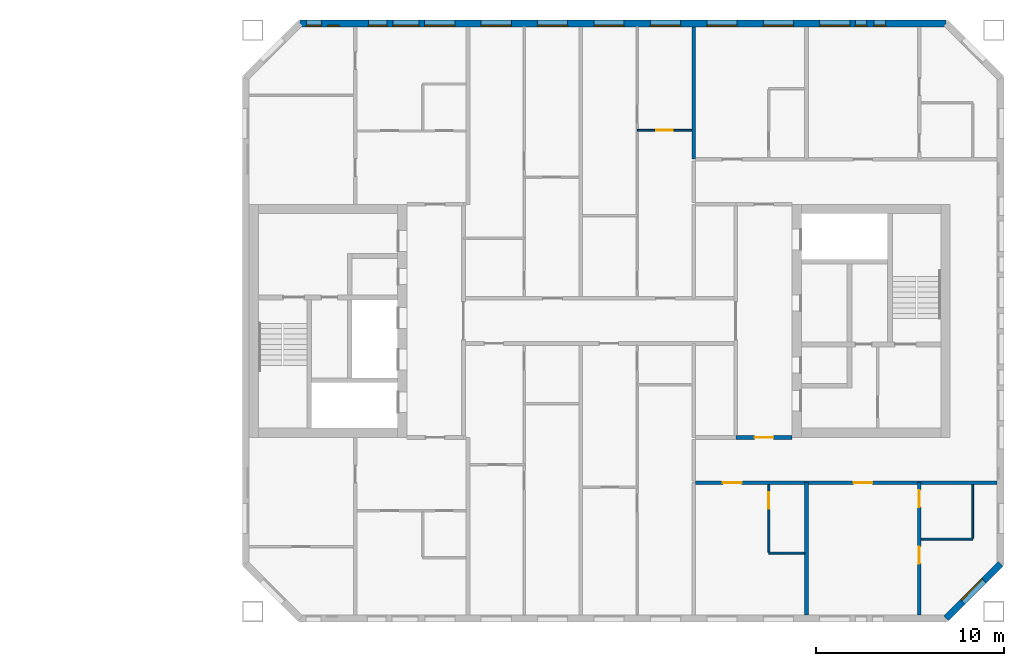
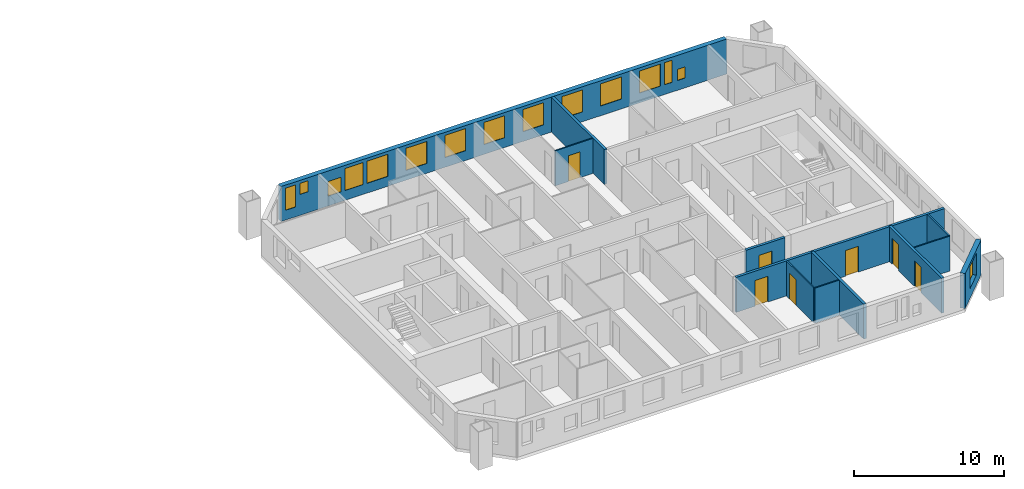
# One storey, part 12 of 16: 15 windows, 12 walls, 7 doors, 22 openings.
"""IFC4 building model written with IfcOpenShell, lengths in metres."""

from ifc_helpers import new_model, si_unit, direction, frame, frame_2d, origin, place, context, subcontext, project, spatial, rectangle, extrude, material, layer, layer_set, type_object, element, fill, save


model = new_model("IFC4")

# Units and contexts
model_context = context("Model", 3, precision=1e-05, world=origin(), true_north=direction((0.0, 1.0)))
body_context = subcontext(model_context, "Body", "Model", "MODEL_VIEW")
ifc_project = project(units=[si_unit("LENGTHUNIT", "METRE"), si_unit("AREAUNIT", "SQUARE_METRE"), si_unit("VOLUMEUNIT", "CUBIC_METRE"), si_unit("PLANEANGLEUNIT", "RADIAN"), si_unit("MASSUNIT", "GRAM", prefix="KILO")], contexts=[model_context])

# Site, building, storey
site_placement = place(None, origin())
site = spatial("IfcSite", under=ifc_project, at=site_placement, CompositionType="ELEMENT")
building_placement = place(site_placement, origin())
building = spatial("IfcBuilding", under=site, at=building_placement, Name="Tuart Gate Housing", CompositionType="ELEMENT")
storey_placement = place(building_placement, frame((0.0, 0.0, 151.60009765625)))
storey = spatial("IfcBuildingStorey", under=building, at=storey_placement, Name="L42", CompositionType="ELEMENT", Elevation=151.60009765625)

# Wall, opening, window
ifc_material_1 = material(Name="Brick", Category="masonry")
ifc_layer_1 = layer(ifc_material_1, 0.360107421875)
ifc_layer_set_1 = layer_set([ifc_layer_1], Name="Brick pier and spandrel wall 360")
wall_type_1 = type_object("IfcWallType", Name="Brick pier and spandrel wall 360", PredefinedType="STANDARD", material=ifc_layer_set_1)
wall_1_placement = place(storey_placement, frame((168.42529296875, 54.179931640625, 0.0), z_axis=(0.0, 0.0, 1.0), x_axis=(0.707106781187, 0.707106781187, 0.0)))
wall_1 = element("IfcWall", 1, at=wall_1_placement, inside=storey, type_object=wall_type_1, Name="External wall B-SE L42", PredefinedType="STANDARD", context=body_context, shape_type="SweptSolid", body=[
    extrude(rectangle(XDim=4.09375, YDim=0.360107421875, at=frame_2d((2.046875, 0.0))), origin(), (0.0, 0.0, 1.0), 2.849853515625),
])
opening_1_placement = place(wall_1_placement, frame((1.2470703125, 0.0, 0.800048828125)))
opening_1 = element("IfcOpeningElement", 2, at=opening_1_placement, cuts=wall_1, Name="Opening W1", PredefinedType="OPENING", context=body_context, shape_type="SweptSolid", body=[
    extrude(rectangle(XDim=1.60009765625, YDim=1.800048828125, at=frame_2d((0.800048828125, 0.89990234375))), frame((0.0, 0.18994140625, 0.0), z_axis=(0.0, -1.0, 0.0), x_axis=(1.0, 0.0, 0.0)), (0.0, 0.0, 1.0), 0.380126953125),
])
ifc_material_2 = material(Name="Aluminium frame with clear glass", Category="aluminium")
window_type_1 = type_object("IfcWindowType", Name="Punched window 1600 x 1800", PartitioningType="SINGLE_PANEL", PredefinedType="WINDOW", material=ifc_material_2)
window_1_placement = place(opening_1_placement, origin())
window_1 = element("IfcWindow", 3, at=window_1_placement, inside=storey, type_object=window_type_1, Name="Window W1", OverallHeight=1.800048828125, OverallWidth=1.60009765625, PartitioningType="SINGLE_PANEL", PredefinedType="WINDOW", context=body_context, shape_type="SweptSolid", body=[
    extrude(rectangle(XDim=1.60009765625, YDim=1.800048828125, at=frame_2d((0.800048828125, 0.89990234375))), frame((0.0, 0.150146484375, 0.0), z_axis=(0.0, -1.0, 0.0), x_axis=(1.0, 0.0, 0.0)), (0.0, 0.0, 1.0), 0.06005859375),
])
fill(opening_1, window_1)

# Wall, openings, windows
wall_2_placement = place(storey_placement, frame((168.42529296875, 85.820068359375, 0.0), z_axis=(0.0, 0.0, 1.0), x_axis=(-1.0, 0.0, 0.0)))
wall_2 = element("IfcWall", 4, at=wall_2_placement, inside=storey, type_object=wall_type_1, Name="External wall B-N L42", PredefinedType="STANDARD", context=body_context, shape_type="SweptSolid", body=[
    extrude(rectangle(XDim=34.350830078125, YDim=0.360107421875, at=frame_2d((17.17529296875, 0.0))), origin(), (0.0, 0.0, 1.0), 2.849853515625),
])
opening_2_placement = place(wall_2_placement, frame((3.225341796875, 0.0, 0.800048828125)))
opening_2 = element("IfcOpeningElement", 5, at=opening_2_placement, cuts=wall_2, Name="Opening W1W", PredefinedType="OPENING", context=body_context, shape_type="SweptSolid", body=[
    extrude(rectangle(XDim=0.60009765625, YDim=0.89990234375, at=frame_2d((0.300048828125, 0.449951171875))), frame((0.0, 0.18994140625, 0.0), z_axis=(0.0, -1.0, 0.0), x_axis=(1.0, 0.0, 0.0)), (0.0, 0.0, 1.0), 0.380126953125),
])
opening_3_placement = place(wall_2_placement, frame((5.12548828125, 0.0, 0.800048828125)))
opening_3 = element("IfcOpeningElement", 6, at=opening_3_placement, cuts=wall_2, Name="Opening W1", PredefinedType="OPENING", context=body_context, shape_type="SweptSolid", body=[
    extrude(rectangle(XDim=1.60009765625, YDim=1.800048828125, at=frame_2d((0.800048828125, 0.89990234375))), frame((0.0, 0.18994140625, 0.0), z_axis=(0.0, -1.0, 0.0), x_axis=(1.0, 0.0, 0.0)), (0.0, 0.0, 1.0), 0.380126953125),
])
opening_4_placement = place(wall_2_placement, frame((8.12548828125, 0.0, 0.800048828125)))
opening_4 = element("IfcOpeningElement", 7, at=opening_4_placement, cuts=wall_2, Name="Opening W1", PredefinedType="OPENING", context=body_context, shape_type="SweptSolid", body=[
    extrude(rectangle(XDim=1.60009765625, YDim=1.800048828125, at=frame_2d((0.800048828125, 0.89990234375))), frame((0.0, 0.18994140625, 0.0), z_axis=(0.0, -1.0, 0.0), x_axis=(1.0, 0.0, 0.0)), (0.0, 0.0, 1.0), 0.380126953125),
])
opening_5_placement = place(wall_2_placement, frame((11.12548828125, 0.0, 0.800048828125)))
opening_5 = element("IfcOpeningElement", 8, at=opening_5_placement, cuts=wall_2, Name="Opening W1", PredefinedType="OPENING", context=body_context, shape_type="SweptSolid", body=[
    extrude(rectangle(XDim=1.60009765625, YDim=1.800048828125, at=frame_2d((0.800048828125, 0.89990234375))), frame((0.0, 0.18994140625, 0.0), z_axis=(0.0, -1.0, 0.0), x_axis=(1.0, 0.0, 0.0)), (0.0, 0.0, 1.0), 0.380126953125),
])
opening_6_placement = place(wall_2_placement, frame((14.12548828125, 0.0, 0.800048828125)))
opening_6 = element("IfcOpeningElement", 9, at=opening_6_placement, cuts=wall_2, Name="Opening W1", PredefinedType="OPENING", context=body_context, shape_type="SweptSolid", body=[
    extrude(rectangle(XDim=1.60009765625, YDim=1.800048828125, at=frame_2d((0.800048828125, 0.89990234375))), frame((0.0, 0.18994140625, 0.0), z_axis=(0.0, -1.0, 0.0), x_axis=(1.0, 0.0, 0.0)), (0.0, 0.0, 1.0), 0.380126953125),
])
opening_7_placement = place(wall_2_placement, frame((17.12548828125, 0.0, 0.800048828125)))
opening_7 = element("IfcOpeningElement", 10, at=opening_7_placement, cuts=wall_2, Name="Opening W1", PredefinedType="OPENING", context=body_context, shape_type="SweptSolid", body=[
    extrude(rectangle(XDim=1.60009765625, YDim=1.800048828125, at=frame_2d((0.800048828125, 0.89990234375))), frame((0.0, 0.18994140625, 0.0), z_axis=(0.0, -1.0, 0.0), x_axis=(1.0, 0.0, 0.0)), (0.0, 0.0, 1.0), 0.380126953125),
])
opening_8_placement = place(wall_2_placement, frame((20.12548828125, 0.0, 0.800048828125)))
opening_8 = element("IfcOpeningElement", 11, at=opening_8_placement, cuts=wall_2, Name="Opening W1", PredefinedType="OPENING", context=body_context, shape_type="SweptSolid", body=[
    extrude(rectangle(XDim=1.60009765625, YDim=1.800048828125, at=frame_2d((0.800048828125, 0.89990234375))), frame((0.0, 0.18994140625, 0.0), z_axis=(0.0, -1.0, 0.0), x_axis=(1.0, 0.0, 0.0)), (0.0, 0.0, 1.0), 0.380126953125),
])
opening_9_placement = place(wall_2_placement, frame((23.12548828125, 0.0, 0.800048828125)))
opening_9 = element("IfcOpeningElement", 12, at=opening_9_placement, cuts=wall_2, Name="Opening W1", PredefinedType="OPENING", context=body_context, shape_type="SweptSolid", body=[
    extrude(rectangle(XDim=1.60009765625, YDim=1.800048828125, at=frame_2d((0.800048828125, 0.89990234375))), frame((0.0, 0.18994140625, 0.0), z_axis=(0.0, -1.0, 0.0), x_axis=(1.0, 0.0, 0.0)), (0.0, 0.0, 1.0), 0.380126953125),
])
opening_10_placement = place(wall_2_placement, frame((26.12548828125, 0.0, 0.800048828125)))
opening_10 = element("IfcOpeningElement", 13, at=opening_10_placement, cuts=wall_2, Name="Opening W1", PredefinedType="OPENING", context=body_context, shape_type="SweptSolid", body=[
    extrude(rectangle(XDim=1.60009765625, YDim=1.800048828125, at=frame_2d((0.800048828125, 0.89990234375))), frame((0.0, 0.18994140625, 0.0), z_axis=(0.0, -1.0, 0.0), x_axis=(1.0, 0.0, 0.0)), (0.0, 0.0, 1.0), 0.380126953125),
])
opening_11_placement = place(wall_2_placement, frame((28.025390625, 0.0, 0.800048828125)))
opening_11 = element("IfcOpeningElement", 14, at=opening_11_placement, cuts=wall_2, Name="Opening W1A", PredefinedType="OPENING", context=body_context, shape_type="SweptSolid", body=[
    extrude(rectangle(XDim=1.39990234375, YDim=1.800048828125, at=frame_2d((0.699951171875, 0.89990234375))), frame((0.0, 0.18994140625, 0.0), z_axis=(0.0, -1.0, 0.0), x_axis=(1.0, 0.0, 0.0)), (0.0, 0.0, 1.0), 0.380126953125),
])
opening_12_placement = place(wall_2_placement, frame((32.275390625, 0.0, 1.699951171875)))
opening_12 = element("IfcOpeningElement", 15, at=opening_12_placement, cuts=wall_2, Name="Opening W1W", PredefinedType="OPENING", context=body_context, shape_type="SweptSolid", body=[
    extrude(rectangle(XDim=0.60009765625, YDim=0.89990234375, at=frame_2d((0.300048828125, 0.449951171875))), frame((0.0, 0.18994140625, 0.0), z_axis=(0.0, -1.0, 0.0), x_axis=(1.0, 0.0, 0.0)), (0.0, 0.0, 1.0), 0.380126953125),
])
opening_13_placement = place(wall_2_placement, frame((4.225341796875, 0.0, 0.800048828125)))
opening_13 = element("IfcOpeningElement", 16, at=opening_13_placement, cuts=wall_2, Name="Opening W1E", PredefinedType="OPENING", context=body_context, shape_type="SweptSolid", body=[
    extrude(rectangle(XDim=0.60009765625, YDim=1.800048828125, at=frame_2d((0.300048828125, 0.89990234375))), frame((0.0, 0.18994140625, 0.0), z_axis=(0.0, -1.0, 0.0), x_axis=(1.0, 0.0, 0.0)), (0.0, 0.0, 1.0), 0.380126953125),
])
opening_14_placement = place(wall_2_placement, frame((29.725341796875, 0.0, 0.800048828125)))
opening_14 = element("IfcOpeningElement", 17, at=opening_14_placement, cuts=wall_2, Name="Opening W1O", PredefinedType="OPENING", context=body_context, shape_type="SweptSolid", body=[
    extrude(rectangle(XDim=1.0, YDim=1.199951171875, at=frame_2d((0.5, 0.60009765625))), frame((0.0, 0.18994140625, 0.0), z_axis=(0.0, -1.0, 0.0), x_axis=(1.0, 0.0, 0.0)), (0.0, 0.0, 1.0), 0.380126953125),
])
opening_15_placement = place(wall_2_placement, frame((33.225341796875, 0.0, 0.800048828125)))
opening_15 = element("IfcOpeningElement", 18, at=opening_15_placement, cuts=wall_2, Name="Opening W1D", PredefinedType="OPENING", context=body_context, shape_type="SweptSolid", body=[
    extrude(rectangle(XDim=0.800048828125, YDim=1.800048828125, at=frame_2d((0.39990234375, 0.89990234375))), frame((0.0, 0.18994140625, 0.0), z_axis=(0.0, -1.0, 0.0), x_axis=(1.0, 0.0, 0.0)), (0.0, 0.0, 1.0), 0.380126953125),
])
ifc_material_3 = material(Name="Aluminium frame with clear glass", Category="aluminium")
window_type_2 = type_object("IfcWindowType", Name="Punched window 1000 x 1200", PartitioningType="SINGLE_PANEL", PredefinedType="WINDOW", material=ifc_material_3)
window_2_placement = place(opening_14_placement, origin())
window_2 = element("IfcWindow", 19, at=window_2_placement, inside=storey, type_object=window_type_2, Name="Window W1O", OverallHeight=1.199951171875, OverallWidth=1.0, PartitioningType="SINGLE_PANEL", PredefinedType="WINDOW", context=body_context, shape_type="SweptSolid", body=[
    extrude(rectangle(XDim=1.0, YDim=1.199951171875, at=frame_2d((0.5, 0.60009765625))), frame((0.0, 0.150146484375, 0.0), z_axis=(0.0, -1.0, 0.0), x_axis=(1.0, 0.0, 0.0)), (0.0, 0.0, 1.0), 0.06005859375),
])
fill(opening_14, window_2)
ifc_material_4 = material(Name="Aluminium frame with clear glass", Category="aluminium")
window_type_3 = type_object("IfcWindowType", Name="Punched window 1400 x 1800", PartitioningType="SINGLE_PANEL", PredefinedType="WINDOW", material=ifc_material_4)
window_3_placement = place(opening_11_placement, origin())
window_3 = element("IfcWindow", 20, at=window_3_placement, inside=storey, type_object=window_type_3, Name="Window W1A", OverallHeight=1.800048828125, OverallWidth=1.39990234375, PartitioningType="SINGLE_PANEL", PredefinedType="WINDOW", context=body_context, shape_type="SweptSolid", body=[
    extrude(rectangle(XDim=1.39990234375, YDim=1.800048828125, at=frame_2d((0.699951171875, 0.89990234375))), frame((0.0, 0.150146484375, 0.0), z_axis=(0.0, -1.0, 0.0), x_axis=(1.0, 0.0, 0.0)), (0.0, 0.0, 1.0), 0.06005859375),
])
fill(opening_11, window_3)
window_4_placement = place(opening_3_placement, origin())
window_4 = element("IfcWindow", 21, at=window_4_placement, inside=storey, type_object=window_type_1, Name="Window W1", OverallHeight=1.800048828125, OverallWidth=1.60009765625, PartitioningType="SINGLE_PANEL", PredefinedType="WINDOW", context=body_context, shape_type="SweptSolid", body=[
    extrude(rectangle(XDim=1.60009765625, YDim=1.800048828125, at=frame_2d((0.800048828125, 0.89990234375))), frame((0.0, 0.150146484375, 0.0), z_axis=(0.0, -1.0, 0.0), x_axis=(1.0, 0.0, 0.0)), (0.0, 0.0, 1.0), 0.06005859375),
])
fill(opening_3, window_4)
window_5_placement = place(opening_4_placement, origin())
window_5 = element("IfcWindow", 22, at=window_5_placement, inside=storey, type_object=window_type_1, Name="Window W1", OverallHeight=1.800048828125, OverallWidth=1.60009765625, PartitioningType="SINGLE_PANEL", PredefinedType="WINDOW", context=body_context, shape_type="SweptSolid", body=[
    extrude(rectangle(XDim=1.60009765625, YDim=1.800048828125, at=frame_2d((0.800048828125, 0.89990234375))), frame((0.0, 0.150146484375, 0.0), z_axis=(0.0, -1.0, 0.0), x_axis=(1.0, 0.0, 0.0)), (0.0, 0.0, 1.0), 0.06005859375),
])
fill(opening_4, window_5)
window_6_placement = place(opening_5_placement, origin())
window_6 = element("IfcWindow", 23, at=window_6_placement, inside=storey, type_object=window_type_1, Name="Window W1", OverallHeight=1.800048828125, OverallWidth=1.60009765625, PartitioningType="SINGLE_PANEL", PredefinedType="WINDOW", context=body_context, shape_type="SweptSolid", body=[
    extrude(rectangle(XDim=1.60009765625, YDim=1.800048828125, at=frame_2d((0.800048828125, 0.89990234375))), frame((0.0, 0.150146484375, 0.0), z_axis=(0.0, -1.0, 0.0), x_axis=(1.0, 0.0, 0.0)), (0.0, 0.0, 1.0), 0.06005859375),
])
fill(opening_5, window_6)
window_7_placement = place(opening_6_placement, origin())
window_7 = element("IfcWindow", 24, at=window_7_placement, inside=storey, type_object=window_type_1, Name="Window W1", OverallHeight=1.800048828125, OverallWidth=1.60009765625, PartitioningType="SINGLE_PANEL", PredefinedType="WINDOW", context=body_context, shape_type="SweptSolid", body=[
    extrude(rectangle(XDim=1.60009765625, YDim=1.800048828125, at=frame_2d((0.800048828125, 0.89990234375))), frame((0.0, 0.150146484375, 0.0), z_axis=(0.0, -1.0, 0.0), x_axis=(1.0, 0.0, 0.0)), (0.0, 0.0, 1.0), 0.06005859375),
])
fill(opening_6, window_7)
window_8_placement = place(opening_7_placement, origin())
window_8 = element("IfcWindow", 25, at=window_8_placement, inside=storey, type_object=window_type_1, Name="Window W1", OverallHeight=1.800048828125, OverallWidth=1.60009765625, PartitioningType="SINGLE_PANEL", PredefinedType="WINDOW", context=body_context, shape_type="SweptSolid", body=[
    extrude(rectangle(XDim=1.60009765625, YDim=1.800048828125, at=frame_2d((0.800048828125, 0.89990234375))), frame((0.0, 0.150146484375, 0.0), z_axis=(0.0, -1.0, 0.0), x_axis=(1.0, 0.0, 0.0)), (0.0, 0.0, 1.0), 0.06005859375),
])
fill(opening_7, window_8)
window_9_placement = place(opening_8_placement, origin())
window_9 = element("IfcWindow", 26, at=window_9_placement, inside=storey, type_object=window_type_1, Name="Window W1", OverallHeight=1.800048828125, OverallWidth=1.60009765625, PartitioningType="SINGLE_PANEL", PredefinedType="WINDOW", context=body_context, shape_type="SweptSolid", body=[
    extrude(rectangle(XDim=1.60009765625, YDim=1.800048828125, at=frame_2d((0.800048828125, 0.89990234375))), frame((0.0, 0.150146484375, 0.0), z_axis=(0.0, -1.0, 0.0), x_axis=(1.0, 0.0, 0.0)), (0.0, 0.0, 1.0), 0.06005859375),
])
fill(opening_8, window_9)
window_10_placement = place(opening_9_placement, origin())
window_10 = element("IfcWindow", 27, at=window_10_placement, inside=storey, type_object=window_type_1, Name="Window W1", OverallHeight=1.800048828125, OverallWidth=1.60009765625, PartitioningType="SINGLE_PANEL", PredefinedType="WINDOW", context=body_context, shape_type="SweptSolid", body=[
    extrude(rectangle(XDim=1.60009765625, YDim=1.800048828125, at=frame_2d((0.800048828125, 0.89990234375))), frame((0.0, 0.150146484375, 0.0), z_axis=(0.0, -1.0, 0.0), x_axis=(1.0, 0.0, 0.0)), (0.0, 0.0, 1.0), 0.06005859375),
])
fill(opening_9, window_10)
window_11_placement = place(opening_10_placement, origin())
window_11 = element("IfcWindow", 28, at=window_11_placement, inside=storey, type_object=window_type_1, Name="Window W1", OverallHeight=1.800048828125, OverallWidth=1.60009765625, PartitioningType="SINGLE_PANEL", PredefinedType="WINDOW", context=body_context, shape_type="SweptSolid", body=[
    extrude(rectangle(XDim=1.60009765625, YDim=1.800048828125, at=frame_2d((0.800048828125, 0.89990234375))), frame((0.0, 0.150146484375, 0.0), z_axis=(0.0, -1.0, 0.0), x_axis=(1.0, 0.0, 0.0)), (0.0, 0.0, 1.0), 0.06005859375),
])
fill(opening_10, window_11)
ifc_material_5 = material(Name="Aluminium frame with clear glass", Category="aluminium")
window_type_4 = type_object("IfcWindowType", Name="Punched window 600 x 1800", PartitioningType="SINGLE_PANEL", PredefinedType="WINDOW", material=ifc_material_5)
window_12_placement = place(opening_13_placement, origin())
window_12 = element("IfcWindow", 29, at=window_12_placement, inside=storey, type_object=window_type_4, Name="Window W1E", OverallHeight=1.800048828125, OverallWidth=0.60009765625, PartitioningType="SINGLE_PANEL", PredefinedType="WINDOW", context=body_context, shape_type="SweptSolid", body=[
    extrude(rectangle(XDim=0.60009765625, YDim=1.800048828125, at=frame_2d((0.300048828125, 0.89990234375))), frame((0.0, 0.150146484375, 0.0), z_axis=(0.0, -1.0, 0.0), x_axis=(1.0, 0.0, 0.0)), (0.0, 0.0, 1.0), 0.06005859375),
])
fill(opening_13, window_12)
ifc_material_6 = material(Name="Aluminium frame with clear glass", Category="aluminium")
window_type_5 = type_object("IfcWindowType", Name="Punched window 600 x 900", PartitioningType="SINGLE_PANEL", PredefinedType="WINDOW", material=ifc_material_6)
window_13_placement = place(opening_2_placement, origin())
window_13 = element("IfcWindow", 30, at=window_13_placement, inside=storey, type_object=window_type_5, Name="Window W1W", OverallHeight=0.89990234375, OverallWidth=0.60009765625, PartitioningType="SINGLE_PANEL", PredefinedType="WINDOW", context=body_context, shape_type="SweptSolid", body=[
    extrude(rectangle(XDim=0.60009765625, YDim=0.89990234375, at=frame_2d((0.300048828125, 0.449951171875))), frame((0.0, 0.150146484375, 0.0), z_axis=(0.0, -1.0, 0.0), x_axis=(1.0, 0.0, 0.0)), (0.0, 0.0, 1.0), 0.06005859375),
])
fill(opening_2, window_13)
window_14_placement = place(opening_12_placement, origin())
window_14 = element("IfcWindow", 31, at=window_14_placement, inside=storey, type_object=window_type_5, Name="Window W1W", OverallHeight=0.89990234375, OverallWidth=0.60009765625, PartitioningType="SINGLE_PANEL", PredefinedType="WINDOW", context=body_context, shape_type="SweptSolid", body=[
    extrude(rectangle(XDim=0.60009765625, YDim=0.89990234375, at=frame_2d((0.300048828125, 0.449951171875))), frame((0.0, 0.150146484375, 0.0), z_axis=(0.0, -1.0, 0.0), x_axis=(1.0, 0.0, 0.0)), (0.0, 0.0, 1.0), 0.06005859375),
])
fill(opening_12, window_14)
ifc_material_7 = material(Name="Aluminium frame with clear glass", Category="aluminium")
window_type_6 = type_object("IfcWindowType", Name="Punched window 800 x 1800", PartitioningType="SINGLE_PANEL", PredefinedType="WINDOW", material=ifc_material_7)
window_15_placement = place(opening_15_placement, origin())
window_15 = element("IfcWindow", 32, at=window_15_placement, inside=storey, type_object=window_type_6, Name="Window W1D", OverallHeight=1.800048828125, OverallWidth=0.800048828125, PartitioningType="SINGLE_PANEL", PredefinedType="WINDOW", context=body_context, shape_type="SweptSolid", body=[
    extrude(rectangle(XDim=0.800048828125, YDim=1.800048828125, at=frame_2d((0.39990234375, 0.89990234375))), frame((0.0, 0.150146484375, 0.0), z_axis=(0.0, -1.0, 0.0), x_axis=(1.0, 0.0, 0.0)), (0.0, 0.0, 1.0), 0.06005859375),
])
fill(opening_15, window_15)

# Wall, openings, doors
ifc_material_8 = material(Name="Concrete masonry 15 MPa", Category="masonry")
ifc_layer_2 = layer(ifc_material_8, 0.199951171875)
ifc_layer_set_2 = layer_set([ifc_layer_2], Name="Corridor wall masonry 200")
wall_type_2 = type_object("IfcWallType", Name="Corridor wall masonry 200", PredefinedType="PARTITIONING", material=ifc_layer_set_2)
wall_3_placement = place(storey_placement, frame((155.10009765625, 61.39990234375, 0.0), z_axis=(0.0, 0.0, 1.0), x_axis=(1.0, 0.0, 0.0)))
wall_3 = element("IfcWall", 33, at=wall_3_placement, inside=storey, type_object=wall_type_2, Name="Corridor wall masonry 200", PredefinedType="PARTITIONING", context=body_context, shape_type="SweptSolid", body=[
    extrude(rectangle(XDim=16.039794921875, YDim=0.199951171875, at=frame_2d((8.02001953125, 0.0))), origin(), (0.0, 0.0, 1.0), 2.849853515625),
])
opening_16_placement = place(wall_3_placement, frame((1.449951171875, 0.0, 0.0)))
opening_16 = element("IfcOpeningElement", 34, at=opening_16_placement, cuts=wall_3, Name="Opening D1613", PredefinedType="OPENING", context=body_context, shape_type="SweptSolid", body=[
    extrude(rectangle(XDim=1.0, YDim=2.10009765625, at=frame_2d((0.5, 1.050048828125))), frame((0.0, 0.10986328125, 0.0), z_axis=(0.0, -1.0, 0.0), x_axis=(1.0, 0.0, 0.0)), (0.0, 0.0, 1.0), 0.219970703125),
])
opening_17_placement = place(wall_3_placement, frame((8.39990234375, 0.0, 0.0)))
opening_17 = element("IfcOpeningElement", 35, at=opening_17_placement, cuts=wall_3, Name="Opening D1614", PredefinedType="OPENING", context=body_context, shape_type="SweptSolid", body=[
    extrude(rectangle(XDim=1.0, YDim=2.10009765625, at=frame_2d((0.5, 1.050048828125))), frame((0.0, 0.10986328125, 0.0), z_axis=(0.0, -1.0, 0.0), x_axis=(1.0, 0.0, 0.0)), (0.0, 0.0, 1.0), 0.219970703125),
])
ifc_material_9 = material(Name="Timber door leaf in steel frame", Category="steel")
door_type_1 = type_object("IfcDoorType", Name="Flat entrance door 1000", OperationType="SINGLE_SWING_LEFT", PredefinedType="DOOR", material=ifc_material_9)
door_1_placement = place(opening_16_placement, frame((1.0, 0.0, 0.0), z_axis=(0.0, 0.0, 1.0), x_axis=(-1.0, 0.0, 0.0)))
door_1 = element("IfcDoor", 36, at=door_1_placement, inside=storey, type_object=door_type_1, Name="Flat entrance door", OperationType="SINGLE_SWING_LEFT", OverallHeight=2.10009765625, OverallWidth=1.0, PredefinedType="DOOR", context=body_context, shape_type="SweptSolid", body=[
    extrude(rectangle(XDim=1.0, YDim=2.10009765625, at=frame_2d((0.5, 1.050048828125))), frame((0.0, 0.025146484375, 0.0), z_axis=(0.0, -1.0, 0.0), x_axis=(1.0, 0.0, 0.0)), (0.0, 0.0, 1.0), 0.050048828125),
])
fill(opening_16, door_1)
ifc_material_10 = material(Name="Timber door leaf in steel frame", Category="steel")
door_type_2 = type_object("IfcDoorType", Name="Flat entrance door 1000 RH", OperationType="SINGLE_SWING_RIGHT", PredefinedType="DOOR", material=ifc_material_10)
door_2_placement = place(opening_17_placement, frame((1.0, 0.0, 0.0), z_axis=(0.0, 0.0, 1.0), x_axis=(-1.0, 0.0, 0.0)))
door_2 = element("IfcDoor", 37, at=door_2_placement, inside=storey, type_object=door_type_2, Name="Flat entrance door", OperationType="SINGLE_SWING_RIGHT", OverallHeight=2.10009765625, OverallWidth=1.0, PredefinedType="DOOR", context=body_context, shape_type="SweptSolid", body=[
    extrude(rectangle(XDim=1.0, YDim=2.10009765625, at=frame_2d((0.5, 1.050048828125))), frame((0.0, 0.025146484375, 0.0), z_axis=(0.0, -1.0, 0.0), x_axis=(1.0, 0.0, 0.0)), (0.0, 0.0, 1.0), 0.050048828125),
])
fill(opening_17, door_2)

# Wall, opening, door
ifc_material_11 = material(Name="Concrete masonry 15 MPa", Category="masonry")
ifc_layer_3 = layer(ifc_material_11, 0.199951171875)
ifc_layer_set_3 = layer_set([ifc_layer_3], Name="Enclosure wall masonry 200")
wall_type_3 = type_object("IfcWallType", Name="Enclosure wall masonry 200", PredefinedType="PARTITIONING", material=ifc_layer_set_3)
wall_4_placement = place(storey_placement, frame((157.239990234375, 63.800048828125, 0.0), z_axis=(0.0, 0.0, 1.0), x_axis=(1.0, 0.0, 0.0)))
wall_4 = element("IfcWall", 38, at=wall_4_placement, inside=storey, type_object=wall_type_3, Name="Enclosure wall masonry 200", PredefinedType="PARTITIONING", context=body_context, shape_type="SweptSolid", body=[
    extrude(rectangle(XDim=3.0, YDim=0.199951171875, at=frame_2d((1.5, 0.0))), origin(), (0.0, 0.0, 1.0), 2.849853515625),
])
opening_18_placement = place(wall_4_placement, frame((1.0, 0.0, 0.0)))
opening_18 = element("IfcOpeningElement", 39, at=opening_18_placement, cuts=wall_4, Name="Opening D1607", PredefinedType="OPENING", context=body_context, shape_type="SweptSolid", body=[
    extrude(rectangle(XDim=1.0, YDim=2.10009765625, at=frame_2d((0.5, 1.050048828125))), frame((0.0, 0.10986328125, 0.0), z_axis=(0.0, -1.0, 0.0), x_axis=(1.0, 0.0, 0.0)), (0.0, 0.0, 1.0), 0.219970703125),
])
ifc_material_12 = material(Name="Timber door leaf in steel frame", Category="steel")
door_type_3 = type_object("IfcDoorType", Name="Fire door 1000 RH", OperationType="SINGLE_SWING_RIGHT", PredefinedType="DOOR", material=ifc_material_12)
door_3_placement = place(opening_18_placement, frame((1.0, 0.0, 0.0), z_axis=(0.0, 0.0, 1.0), x_axis=(-1.0, 0.0, 0.0)))
door_3 = element("IfcDoor", 40, at=door_3_placement, inside=storey, type_object=door_type_3, Name="Fire door", OperationType="SINGLE_SWING_RIGHT", OverallHeight=2.10009765625, OverallWidth=1.0, PredefinedType="DOOR", context=body_context, shape_type="SweptSolid", body=[
    extrude(rectangle(XDim=1.0, YDim=2.10009765625, at=frame_2d((0.5, 1.050048828125))), frame((0.0, 0.025146484375, 0.0), z_axis=(0.0, -1.0, 0.0), x_axis=(1.0, 0.0, 0.0)), (0.0, 0.0, 1.0), 0.050048828125),
])
fill(opening_18, door_3)

# Walls
ifc_material_13 = material(Name="Gypsum board on steel studs", Category="steel")
ifc_layer_4 = layer(ifc_material_13, 0.10009765625)
ifc_layer_set_4 = layer_set([ifc_layer_4], Name="Partition 100")
wall_type_4 = type_object("IfcWallType", Name="Partition 100", PredefinedType="PARTITIONING", material=ifc_layer_set_4)
wall_5_placement = place(storey_placement, frame((159.0, 57.64990234375, 0.0), z_axis=(0.0, 0.0, 1.0), x_axis=(1.0, 0.0, 0.0)))
element("IfcWall", 41, at=wall_5_placement, inside=storey, type_object=wall_type_4, Name="Partition 100", PredefinedType="PARTITIONING", context=body_context, shape_type="SweptSolid", body=[
    extrude(rectangle(XDim=1.89990234375, YDim=0.10009765625, at=frame_2d((0.949951171875, 0.0))), origin(), (0.0, 0.0, 1.0), 2.849853515625),
])
wall_6_placement = place(storey_placement, frame((167.10009765625, 58.39990234375, 0.0), z_axis=(0.0, 0.0, 1.0), x_axis=(1.0, 0.0, 0.0)))
element("IfcWall", 42, at=wall_6_placement, inside=storey, type_object=wall_type_4, Name="Partition 100", PredefinedType="PARTITIONING", context=body_context, shape_type="SweptSolid", body=[
    extrude(rectangle(XDim=2.739990234375, YDim=0.10009765625, at=frame_2d((1.3701171875, 0.0))), origin(), (0.0, 0.0, 1.0), 2.849853515625),
])

# Wall, opening, door
wall_7_placement = place(storey_placement, frame((152.0, 80.139892578125, 0.0), z_axis=(0.0, 0.0, 1.0), x_axis=(1.0, 0.0, 0.0)))
wall_7 = element("IfcWall", 43, at=wall_7_placement, inside=storey, type_object=wall_type_4, Name="Partition 100", PredefinedType="PARTITIONING", context=body_context, shape_type="SweptSolid", body=[
    extrude(rectangle(XDim=2.89990234375, YDim=0.10009765625, at=frame_2d((1.449951171875, 0.0))), origin(), (0.0, 0.0, 1.0), 2.849853515625),
])
opening_19_placement = place(wall_7_placement, frame((1.0, 0.0, 0.0)))
opening_19 = element("IfcOpeningElement", 44, at=opening_19_placement, cuts=wall_7, Name="Opening D1578", PredefinedType="OPENING", context=body_context, shape_type="SweptSolid", body=[
    extrude(rectangle(XDim=0.89990234375, YDim=2.10009765625, at=frame_2d((0.449951171875, 1.050048828125))), frame((0.0, 0.06005859375, 0.0), z_axis=(0.0, -1.0, 0.0), x_axis=(1.0, 0.0, 0.0)), (0.0, 0.0, 1.0), 0.1201171875),
])
ifc_material_14 = material(Name="Timber door leaf in steel frame", Category="steel")
door_type_4 = type_object("IfcDoorType", Name="Internal door 900 RH", OperationType="SINGLE_SWING_RIGHT", PredefinedType="DOOR", material=ifc_material_14)
door_4_placement = place(opening_19_placement, frame((0.89990234375, 0.0, 0.0), z_axis=(0.0, 0.0, 1.0), x_axis=(-1.0, 0.0, 0.0)))
door_4 = element("IfcDoor", 45, at=door_4_placement, inside=storey, type_object=door_type_4, Name="Internal door", OperationType="SINGLE_SWING_RIGHT", OverallHeight=2.10009765625, OverallWidth=0.89990234375, PredefinedType="DOOR", context=body_context, shape_type="SweptSolid", body=[
    extrude(rectangle(XDim=0.89990234375, YDim=2.10009765625, at=frame_2d((0.449951171875, 1.050048828125))), frame((0.0, 0.025146484375, 0.0), z_axis=(0.0, -1.0, 0.0), x_axis=(1.0, 0.0, 0.0)), (0.0, 0.0, 1.0), 0.050048828125),
])
fill(opening_19, door_4)

wall_8_placement = place(storey_placement, frame((159.0, 57.699951171875, 0.0), z_axis=(0.0, 0.0, 1.0), x_axis=(0.0, 1.0, 0.0)))
wall_8 = element("IfcWall", 46, at=wall_8_placement, inside=storey, type_object=wall_type_4, Name="Partition 100", PredefinedType="PARTITIONING", context=body_context, shape_type="SweptSolid", body=[
    extrude(rectangle(XDim=3.60009765625, YDim=0.10009765625, at=frame_2d((1.800048828125, 0.0))), origin(), (0.0, 0.0, 1.0), 2.849853515625),
])
opening_20_placement = place(wall_8_placement, frame((2.300048828125, 0.0, 0.0)))
opening_20 = element("IfcOpeningElement", 47, at=opening_20_placement, cuts=wall_8, Name="Opening D1618", PredefinedType="OPENING", context=body_context, shape_type="SweptSolid", body=[
    extrude(rectangle(XDim=0.89990234375, YDim=2.10009765625, at=frame_2d((0.449951171875, 1.050048828125))), frame((0.0, 0.06005859375, 0.0), z_axis=(0.0, -1.0, 0.0), x_axis=(1.0, 0.0, 0.0)), (0.0, 0.0, 1.0), 0.1201171875),
])
ifc_material_15 = material(Name="Timber door leaf in steel frame", Category="steel")
door_type_5 = type_object("IfcDoorType", Name="Bathroom door 900", OperationType="SINGLE_SWING_LEFT", PredefinedType="DOOR", material=ifc_material_15)
door_5_placement = place(opening_20_placement, frame((0.89990234375, 0.0, 0.0), z_axis=(0.0, 0.0, 1.0), x_axis=(-1.0, 0.0, 0.0)))
door_5 = element("IfcDoor", 48, at=door_5_placement, inside=storey, type_object=door_type_5, Name="Bathroom door", OperationType="SINGLE_SWING_LEFT", OverallHeight=2.10009765625, OverallWidth=0.89990234375, PredefinedType="DOOR", context=body_context, shape_type="SweptSolid", body=[
    extrude(rectangle(XDim=0.89990234375, YDim=2.10009765625, at=frame_2d((0.449951171875, 1.050048828125))), frame((0.0, 0.025146484375, 0.0), z_axis=(0.0, -1.0, 0.0), x_axis=(1.0, 0.0, 0.0)), (0.0, 0.0, 1.0), 0.050048828125),
])
fill(opening_20, door_5)

# Walls
wall_9_placement = place(storey_placement, frame((169.840087890625, 58.449951171875, 0.0), z_axis=(0.0, 0.0, 1.0), x_axis=(0.0, 1.0, 0.0)))
element("IfcWall", 49, at=wall_9_placement, inside=storey, type_object=wall_type_4, Name="Partition 100", PredefinedType="PARTITIONING", context=body_context, shape_type="SweptSolid", body=[
    extrude(rectangle(XDim=2.85009765625, YDim=0.10009765625, at=frame_2d((1.425048828125, 0.0))), origin(), (0.0, 0.0, 1.0), 2.849853515625),
])
ifc_material_16 = material(Name="Concrete C40", Category="concrete")
ifc_layer_5 = layer(ifc_material_16, 0.199951171875)
ifc_layer_set_5 = layer_set([ifc_layer_5], Name="Party wall concrete C40 200")
wall_type_5 = type_object("IfcWallType", Name="Party wall concrete C40 200", PredefinedType="SOLIDWALL", material=ifc_layer_set_5)
for number, where, z_axis, x_axis, name in (
    (50, (155.0, 78.60009765625, 0.0), (0.0, 0.0, 1.0), (0.0, 1.0, 0.0), "Party wall concrete C40 200"),
    (51, (161.0, 54.360107421875, 0.0), (0.0, 0.0, 1.0), (0.0, 1.0, 0.0), "Party wall concrete C40 200"),
):
    element("IfcWall", number, at=place(storey_placement, frame(where, z_axis=z_axis, x_axis=x_axis)), inside=storey, type_object=wall_type_5, Name=name, PredefinedType="SOLIDWALL", context=body_context, shape_type="SweptSolid", body=[
        extrude(rectangle(XDim=7.039794921875, YDim=0.199951171875, at=frame_2d((3.52001953125, 0.0))), origin(), (0.0, 0.0, 1.0), 2.849853515625),
    ])

# Wall, openings, doors
wall_10_placement = place(storey_placement, frame((167.0, 54.360107421875, 0.0), z_axis=(0.0, 0.0, 1.0), x_axis=(0.0, 1.0, 0.0)))
wall_10 = element("IfcWall", 52, at=wall_10_placement, inside=storey, type_object=wall_type_5, Name="Party wall concrete C40 200", PredefinedType="SOLIDWALL", context=body_context, shape_type="SweptSolid", body=[
    extrude(rectangle(XDim=7.039794921875, YDim=0.199951171875, at=frame_2d((3.52001953125, 0.0))), origin(), (0.0, 0.0, 1.0), 2.849853515625),
])
opening_21_placement = place(wall_10_placement, frame((2.739990234375, 0.0, 0.0)))
opening_21 = element("IfcOpeningElement", 53, at=opening_21_placement, cuts=wall_10, Name="Opening D1622", PredefinedType="OPENING", context=body_context, shape_type="SweptSolid", body=[
    extrude(rectangle(XDim=0.89990234375, YDim=2.10009765625, at=frame_2d((0.449951171875, 1.050048828125))), frame((0.0, 0.10986328125, 0.0), z_axis=(0.0, -1.0, 0.0), x_axis=(1.0, 0.0, 0.0)), (0.0, 0.0, 1.0), 0.219970703125),
])
opening_22_placement = place(wall_10_placement, frame((5.739990234375, 0.0, 0.0)))
opening_22 = element("IfcOpeningElement", 54, at=opening_22_placement, cuts=wall_10, Name="Opening D1621", PredefinedType="OPENING", context=body_context, shape_type="SweptSolid", body=[
    extrude(rectangle(XDim=0.89990234375, YDim=2.10009765625, at=frame_2d((0.449951171875, 1.050048828125))), frame((0.0, 0.10986328125, 0.0), z_axis=(0.0, -1.0, 0.0), x_axis=(1.0, 0.0, 0.0)), (0.0, 0.0, 1.0), 0.219970703125),
])
door_6_placement = place(opening_22_placement, frame((0.89990234375, 0.0, 0.0), z_axis=(0.0, 0.0, 1.0), x_axis=(-1.0, 0.0, 0.0)))
door_6 = element("IfcDoor", 55, at=door_6_placement, inside=storey, type_object=door_type_5, Name="Bathroom door", OperationType="SINGLE_SWING_LEFT", OverallHeight=2.10009765625, OverallWidth=0.89990234375, PredefinedType="DOOR", context=body_context, shape_type="SweptSolid", body=[
    extrude(rectangle(XDim=0.89990234375, YDim=2.10009765625, at=frame_2d((0.449951171875, 1.050048828125))), frame((0.0, 0.025146484375, 0.0), z_axis=(0.0, -1.0, 0.0), x_axis=(1.0, 0.0, 0.0)), (0.0, 0.0, 1.0), 0.050048828125),
])
fill(opening_22, door_6)
ifc_material_17 = material(Name="Timber door leaf in steel frame", Category="steel")
door_type_6 = type_object("IfcDoorType", Name="Internal door 900", OperationType="SINGLE_SWING_LEFT", PredefinedType="DOOR", material=ifc_material_17)
door_7_placement = place(opening_21_placement, frame((0.89990234375, 0.0, 0.0), z_axis=(0.0, 0.0, 1.0), x_axis=(-1.0, 0.0, 0.0)))
door_7 = element("IfcDoor", 56, at=door_7_placement, inside=storey, type_object=door_type_6, Name="Internal door", OperationType="SINGLE_SWING_LEFT", OverallHeight=2.10009765625, OverallWidth=0.89990234375, PredefinedType="DOOR", context=body_context, shape_type="SweptSolid", body=[
    extrude(rectangle(XDim=0.89990234375, YDim=2.10009765625, at=frame_2d((0.449951171875, 1.050048828125))), frame((0.0, 0.025146484375, 0.0), z_axis=(0.0, -1.0, 0.0), x_axis=(1.0, 0.0, 0.0)), (0.0, 0.0, 1.0), 0.050048828125),
])
fill(opening_21, door_7)

save(model, "model.ifc")
